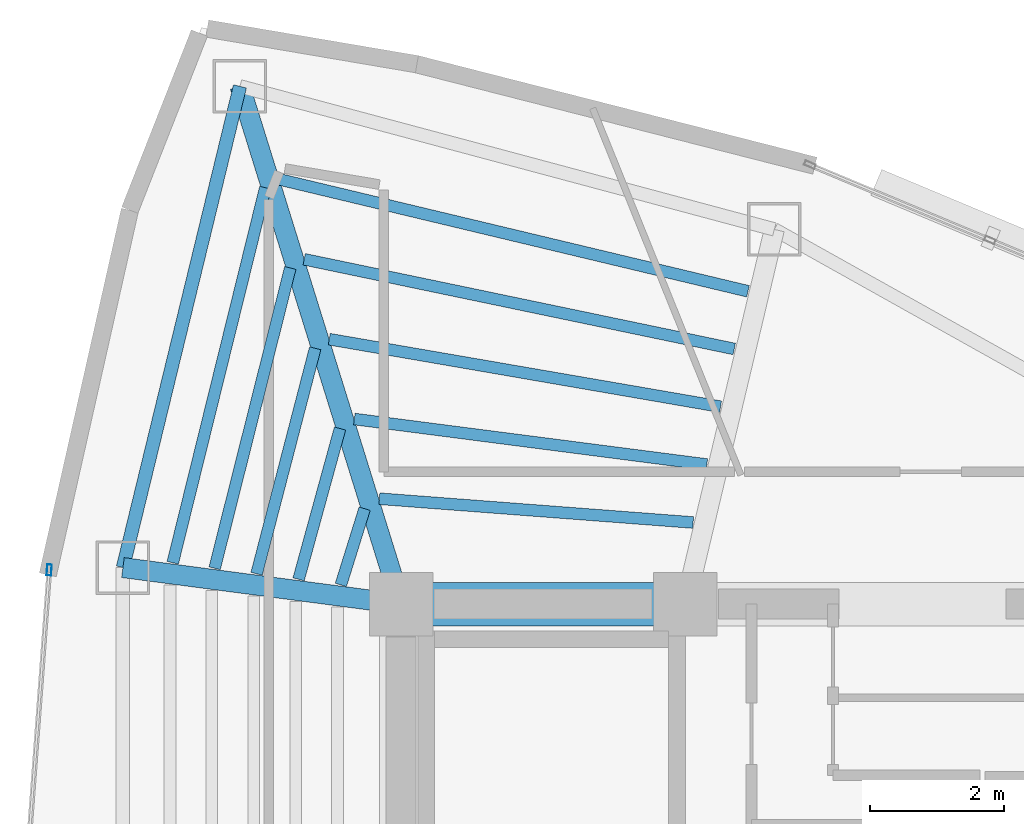
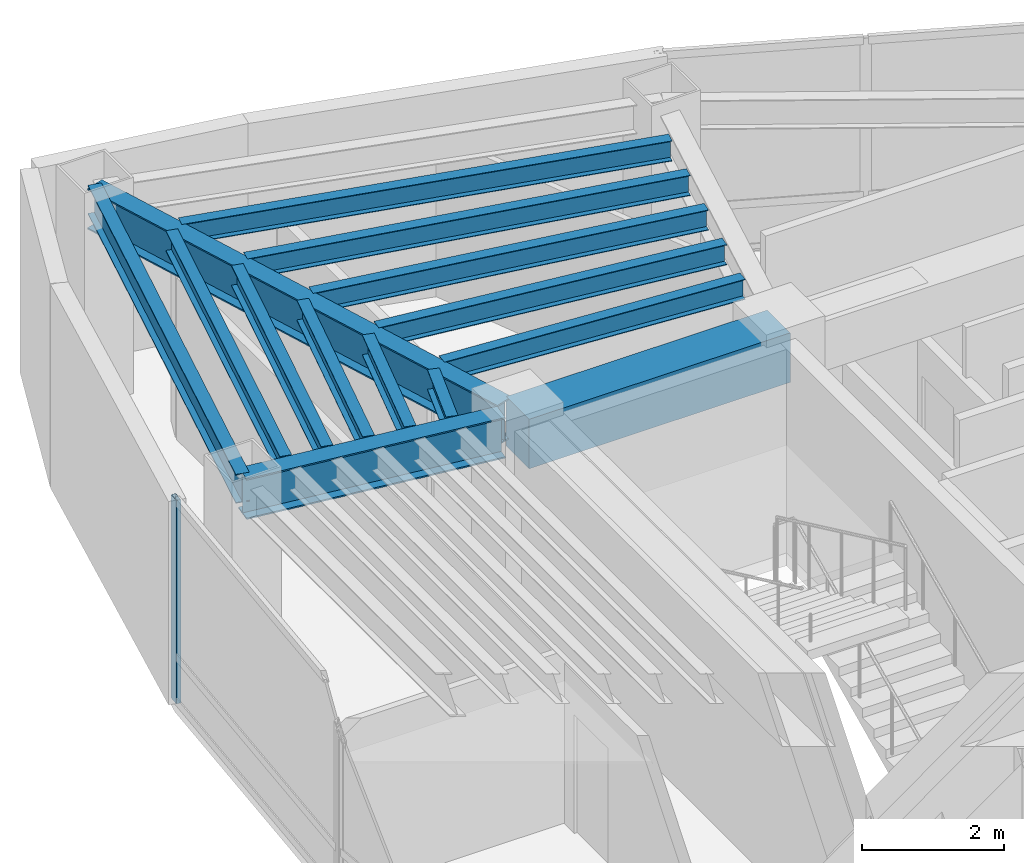
# One storey, part 7 of 15: 14 beams, 1 member, 1 element without a shape of its own.
"""IFC4 building model written with IfcOpenShell, lengths in metres."""

from ifc_helpers import new_model, si_unit, direction, frame, origin, origin_2d, place, context, subcontext, project, spatial, rectangle, hollow_rectangle, i_section, extrude, material, layer, layer_set, material_profile, profile_set, type_object, element, aggregate, save


model = new_model("IFC4")

# Units and contexts
model_context = context("Model", 3, precision=1e-05, world=origin(), true_north=direction((0.0, 1.0)))
body_context = subcontext(model_context, "Body", "Model", "MODEL_VIEW")
ifc_project = project(units=[si_unit("LENGTHUNIT", "METRE"), si_unit("AREAUNIT", "SQUARE_METRE"), si_unit("VOLUMEUNIT", "CUBIC_METRE"), si_unit("PLANEANGLEUNIT", "RADIAN"), si_unit("MASSUNIT", "GRAM", prefix="KILO")], contexts=[model_context])

# Site, building, storey
site_placement = place(None, origin())
site = spatial("IfcSite", under=ifc_project, at=site_placement, CompositionType="ELEMENT")
building_placement = place(site_placement, origin())
building = spatial("IfcBuilding", under=site, at=building_placement, Name="Menara Vayukalpa", CompositionType="ELEMENT")
storey_placement = place(building_placement, frame((0.0, 0.0, 265.739990234375)))
storey = spatial("IfcBuildingStorey", under=building, at=storey_placement, Name="L67", CompositionType="ELEMENT", Elevation=265.739990234375)

# Beams
ifc_material_1 = material(Name="Concrete C60/75", Category="concrete")
ifc_material_profile_1 = material_profile(ifc_material_1, rectangle(XDim=0.64990234375, YDim=0.85009765625, at=origin_2d()), Name="RC 650x850")
ifc_profile_set_1 = profile_set([ifc_material_profile_1], Name="Concrete C60/75")
beam_type_1 = type_object("IfcBeamType", Name="BM-CB1", PredefinedType="BEAM", material=ifc_profile_set_1)
beam_1_placement = place(storey_placement, frame((17.800048828125, 26.800048828125, 3.074951171875), z_axis=(1.0, 0.0, 0.0), x_axis=(0.0, 1.0, 0.0)))
element("IfcBeam", 1, at=beam_1_placement, inside=storey, type_object=beam_type_1, Name="L67 Core Tie Beam CBR4", PredefinedType="BEAM", context=body_context, shape_type="SweptSolid", body=[
    extrude(rectangle(XDim=0.64990234375, YDim=0.85009765625, at=origin_2d()), origin(), (0.0, 0.0, 1.0), 4.25),
])
ifc_material_2 = material(Name="Steel S355", Category="steel")
ifc_material_profile_2 = material_profile(ifc_material_2, i_section(OverallWidth=0.300048828125, OverallDepth=0.699951171875, WebThickness=0.012939453125, FlangeThickness=0.02392578125, at=origin_2d()), Name="WF 700x300x13x24")
ifc_profile_set_2 = profile_set([ifc_material_profile_2], Name="Steel S355")
beam_type_2 = type_object("IfcBeamType", Name="BM-PG5", PredefinedType="BEAM", material=ifc_profile_set_2)
beam_2_placement = place(storey_placement, frame((17.7255859375, 27.038818359375, 3.14990234375), z_axis=(-0.297213792842, 0.954810955815, 0.0), x_axis=(-0.954810955815, -0.297213792842, 0.0)))
element("IfcBeam", 2, at=beam_2_placement, inside=storey, type_object=beam_type_2, Name="L67 Primary Radial Girder RG04", PredefinedType="BEAM", context=body_context, shape_type="SweptSolid", body=[
    extrude(i_section(OverallWidth=0.300048828125, OverallDepth=0.699951171875, WebThickness=0.012939453125, FlangeThickness=0.02392578125, at=origin_2d()), origin(), (0.0, 0.0, 1.0), 7.861083984375),
])
beam_3_placement = place(storey_placement, frame((17.552001953125, 26.83251953125, 3.14990234375), z_axis=(-0.991477860763, 0.130275291662, 0.0), x_axis=(-0.130275291662, -0.991477860763, 0.0)))
element("IfcBeam", 3, at=beam_3_placement, inside=storey, type_object=beam_type_2, Name="L67 Primary Radial Girder RG05", PredefinedType="BEAM", context=body_context, shape_type="SweptSolid", body=[
    extrude(i_section(OverallWidth=0.300048828125, OverallDepth=0.699951171875, WebThickness=0.012939453125, FlangeThickness=0.02392578125, at=origin_2d()), origin(), (0.0, 0.0, 1.0), 3.94677734375),
])
ifc_material_3 = material(Name="Steel S355", Category="steel")
ifc_material_profile_3 = material_profile(ifc_material_3, i_section(OverallWidth=0.175048828125, OverallDepth=0.35009765625, WebThickness=0.007080078125, FlangeThickness=0.010986328125, at=origin_2d()), Name="WF 350x175x7x11")
ifc_profile_set_3 = profile_set([ifc_material_profile_3], Name="Steel S355")
beam_type_3 = type_object("IfcBeamType", Name="BM-SJ3", PredefinedType="JOIST", material=ifc_profile_set_3)
beam_4_placement = place(storey_placement, frame((22.16748046875, 28.02099609375, 3.324951171875), z_axis=(-0.997135697669, 0.075633328852, 0.0), x_axis=(-0.075633328852, -0.997135697669, 0.0)))
element("IfcBeam", 4, at=beam_4_placement, inside=storey, type_object=beam_type_3, Name="L67 Secondary Floor Joist SJ03-1", PredefinedType="JOIST", context=body_context, shape_type="SweptSolid", body=[
    extrude(i_section(OverallWidth=0.175048828125, OverallDepth=0.35009765625, WebThickness=0.007080078125, FlangeThickness=0.010986328125, at=origin_2d()), origin(), (0.0, 0.0, 1.0), 4.706298828125),
])
beam_5_placement = place(storey_placement, frame((22.372314453125, 28.887939453125, 3.324951171875), z_axis=(-0.991763759233, 0.128080622546, 0.0), x_axis=(-0.128080622546, -0.991763759233, 0.0)))
element("IfcBeam", 5, at=beam_5_placement, inside=storey, type_object=beam_type_3, Name="L67 Secondary Floor Joist SJ03-2", PredefinedType="JOIST", context=body_context, shape_type="SweptSolid", body=[
    extrude(i_section(OverallWidth=0.175048828125, OverallDepth=0.35009765625, WebThickness=0.007080078125, FlangeThickness=0.010986328125, at=origin_2d()), origin(), (0.0, 0.0, 1.0), 5.316162109375),
])
beam_6_placement = place(storey_placement, frame((22.577392578125, 29.7529296875, 3.324951171875), z_axis=(-0.985440172071, 0.170022549294, 0.0), x_axis=(-0.170022549294, -0.985440172071, 0.0)))
element("IfcBeam", 6, at=beam_6_placement, inside=storey, type_object=beam_type_3, Name="L67 Secondary Floor Joist SJ03-3", PredefinedType="JOIST", context=body_context, shape_type="SweptSolid", body=[
    extrude(i_section(OverallWidth=0.175048828125, OverallDepth=0.35009765625, WebThickness=0.007080078125, FlangeThickness=0.010986328125, at=origin_2d()), origin(), (0.0, 0.0, 1.0), 5.93896484375),
])
beam_7_placement = place(storey_placement, frame((22.7822265625, 30.61669921875, 3.324951171875), z_axis=(-0.978941451827, 0.204141210671, 0.0), x_axis=(-0.204141210671, -0.978941451827, 0.0)))
element("IfcBeam", 7, at=beam_7_placement, inside=storey, type_object=beam_type_3, Name="L67 Secondary Floor Joist SJ03-4", PredefinedType="JOIST", context=body_context, shape_type="SweptSolid", body=[
    extrude(i_section(OverallWidth=0.175048828125, OverallDepth=0.35009765625, WebThickness=0.007080078125, FlangeThickness=0.010986328125, at=origin_2d()), origin(), (0.0, 0.0, 1.0), 6.570556640625),
])
beam_8_placement = place(storey_placement, frame((22.9873046875, 31.479248046875, 3.324951171875), z_axis=(-0.972642465748, 0.232307197097, 0.0), x_axis=(-0.232307197097, -0.972642465748, 0.0)))
element("IfcBeam", 8, at=beam_8_placement, inside=storey, type_object=beam_type_3, Name="L67 Secondary Floor Joist SJ03-5", PredefinedType="JOIST", context=body_context, shape_type="SweptSolid", body=[
    extrude(i_section(OverallWidth=0.175048828125, OverallDepth=0.35009765625, WebThickness=0.007080078125, FlangeThickness=0.010986328125, at=origin_2d()), origin(), (0.0, 0.0, 1.0), 7.20947265625),
])
beam_9_placement = place(storey_placement, frame((17.25439453125, 28.2275390625, 3.324951171875), z_axis=(-0.298018933644, -0.954559958929, 0.0), x_axis=(0.954559958929, -0.298018933644, 0.0)))
element("IfcBeam", 9, at=beam_9_placement, inside=storey, type_object=beam_type_3, Name="L67 Secondary Floor Joist SJ04-1", PredefinedType="JOIST", context=body_context, shape_type="SweptSolid", body=[
    extrude(i_section(OverallWidth=0.175048828125, OverallDepth=0.35009765625, WebThickness=0.007080078125, FlangeThickness=0.010986328125, at=origin_2d()), origin(), (0.0, 0.0, 1.0), 1.1943359375),
])
beam_10_placement = place(storey_placement, frame((16.88623046875, 29.4267578125, 3.324951171875), z_axis=(-0.264918721837, -0.9642707456, 0.0), x_axis=(0.9642707456, -0.264918721837, 0.0)))
element("IfcBeam", 10, at=beam_10_placement, inside=storey, type_object=beam_type_3, Name="L67 Secondary Floor Joist SJ04-2", PredefinedType="JOIST", context=body_context, shape_type="SweptSolid", body=[
    extrude(i_section(OverallWidth=0.175048828125, OverallDepth=0.35009765625, WebThickness=0.007080078125, FlangeThickness=0.010986328125, at=origin_2d()), origin(), (0.0, 0.0, 1.0), 2.3388671875),
])
beam_11_placement = place(storey_placement, frame((16.5146484375, 30.627197265625, 3.324951171875), z_axis=(-0.251492114719, -0.96785934734, 0.0), x_axis=(0.96785934734, -0.251492114719, 0.0)))
element("IfcBeam", 11, at=beam_11_placement, inside=storey, type_object=beam_type_3, Name="L67 Secondary Floor Joist SJ04-3", PredefinedType="JOIST", context=body_context, shape_type="SweptSolid", body=[
    extrude(i_section(OverallWidth=0.175048828125, OverallDepth=0.35009765625, WebThickness=0.007080078125, FlangeThickness=0.010986328125, at=origin_2d()), origin(), (0.0, 0.0, 1.0), 3.485107421875),
])
beam_12_placement = place(storey_placement, frame((16.14208984375, 31.82763671875, 3.324951171875), z_axis=(-0.244247063973, -0.969713035769, 0.0), x_axis=(0.969713035769, -0.244247063973, 0.0)))
element("IfcBeam", 12, at=beam_12_placement, inside=storey, type_object=beam_type_3, Name="L67 Secondary Floor Joist SJ04-4", PredefinedType="JOIST", context=body_context, shape_type="SweptSolid", body=[
    extrude(i_section(OverallWidth=0.175048828125, OverallDepth=0.35009765625, WebThickness=0.007080078125, FlangeThickness=0.010986328125, at=origin_2d()), origin(), (0.0, 0.0, 1.0), 4.630859375),
])
beam_13_placement = place(storey_placement, frame((15.768798828125, 33.028564453125, 3.324951171875), z_axis=(-0.239671161383, -0.970854126222, 0.0), x_axis=(0.970854126222, -0.239671161383, 0.0)))
element("IfcBeam", 13, at=beam_13_placement, inside=storey, type_object=beam_type_3, Name="L67 Secondary Floor Joist SJ04-5", PredefinedType="JOIST", context=body_context, shape_type="SweptSolid", body=[
    extrude(i_section(OverallWidth=0.175048828125, OverallDepth=0.35009765625, WebThickness=0.007080078125, FlangeThickness=0.010986328125, at=origin_2d()), origin(), (0.0, 0.0, 1.0), 5.77783203125),
])
ifc_material_4 = material(Name="Steel S355", Category="steel")
ifc_material_profile_4 = material_profile(ifc_material_4, i_section(OverallWidth=0.199951171875, OverallDepth=0.5, WebThickness=0.010009765625, FlangeThickness=0.01611328125, at=origin_2d()), Name="WF 500x200x10x16")
ifc_profile_set_4 = profile_set([ifc_material_profile_4], Name="Steel S355")
beam_type_4 = type_object("IfcBeamType", Name="BM-SP3", PredefinedType="SPANDREL", material=ifc_profile_set_4)
beam_14_placement = place(storey_placement, frame((15.38916015625, 34.544677734375, 3.25), z_axis=(-0.236272525754, -0.97168682896, 0.0), x_axis=(0.97168682896, -0.236272525754, 0.0)))
element("IfcBeam", 14, at=beam_14_placement, inside=storey, type_object=beam_type_4, Name="L67 Perimeter Spandrel Beam SP04", PredefinedType="SPANDREL", context=body_context, shape_type="SweptSolid", body=[
    extrude(i_section(OverallWidth=0.199951171875, OverallDepth=0.5, WebThickness=0.010009765625, FlangeThickness=0.01611328125, at=origin_2d()), origin(), (0.0, 0.0, 1.0), 7.40771484375),
])

# Curtain wall, member
ifc_material_5 = material(Name="Anodised Terracotta Aluminium Alloy 6063-T6", Category="masonry")
ifc_layer = layer(ifc_material_5, 0.1650390625)
ifc_layer_set = layer_set([ifc_layer], Name="Anodised Terracotta Aluminium Alloy 6063-T6")
curtain_wall_type = type_object("IfcCurtainWallType", Name="CW-CW6", PredefinedType="USERDEFINED", material=ifc_layer_set)
curtain_wall_placement = place(storey_placement, origin())
curtain_wall = element("IfcCurtainWall", 15, at=curtain_wall_placement, inside=storey, type_object=curtain_wall_type, Name="L67 Observation and Executive Curtain Wall CW6 10", ObjectType="UNITISED", PredefinedType="USERDEFINED")
ifc_material_6 = material(Name="Anodised Terracotta Aluminium Alloy 6063-T6", Category="masonry")
ifc_material_profile_5 = material_profile(ifc_material_6, hollow_rectangle(XDim=0.070068359375, YDim=0.1650390625, WallThickness=0.00390625, at=origin_2d()), Name="ALU 70x165x4")
ifc_profile_set_5 = profile_set([ifc_material_profile_5], Name="Anodised Terracotta Aluminium Alloy 6063-T6")
member_type = type_object("IfcMemberType", Name="CWM-CW6", PredefinedType="MULLION", material=ifc_profile_set_5)
member_placement = place(storey_placement, frame((12.536376953125, 27.311767578125, 0.0), z_axis=(0.0, 0.0, 1.0), x_axis=(0.997199344663, -0.074789484574, 0.0)))
member = element("IfcMember", 16, at=member_placement, type_object=member_type, Name="CW6 mullion 1", PredefinedType="MULLION", context=body_context, shape_type="SweptSolid", body=[
    extrude(hollow_rectangle(XDim=0.070068359375, YDim=0.1650390625, WallThickness=0.00390625, at=origin_2d()), origin(), (0.0, 0.0, 1.0), 3.5),
])
aggregate(curtain_wall, [member])

save(model, "model.ifc")
